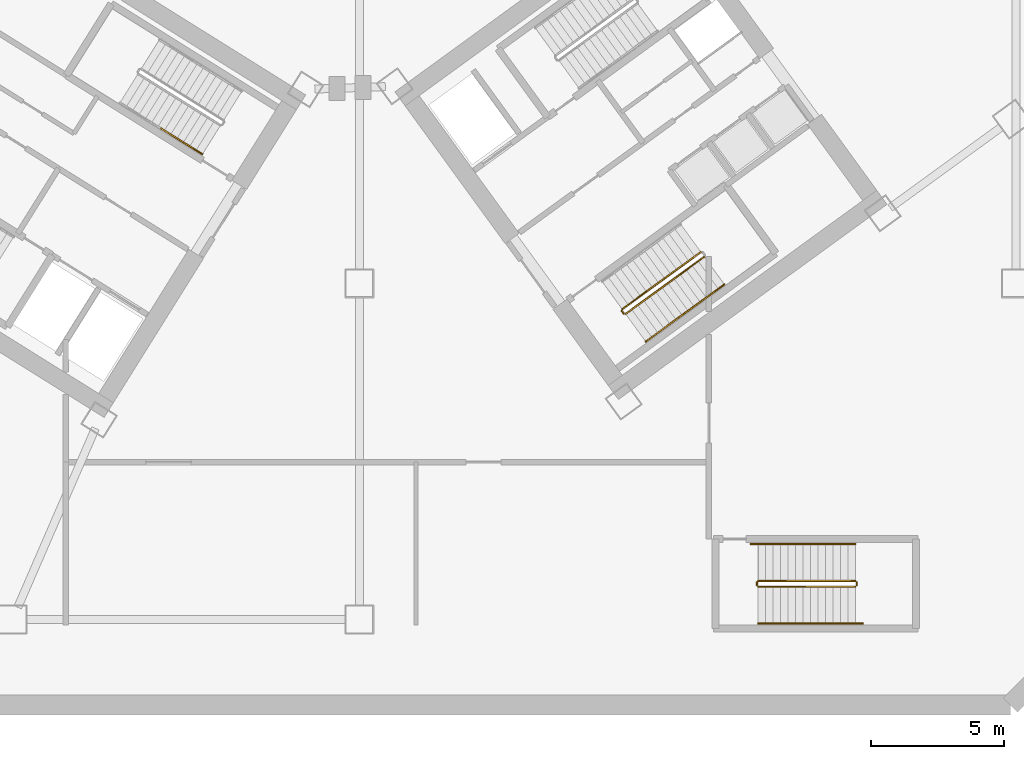
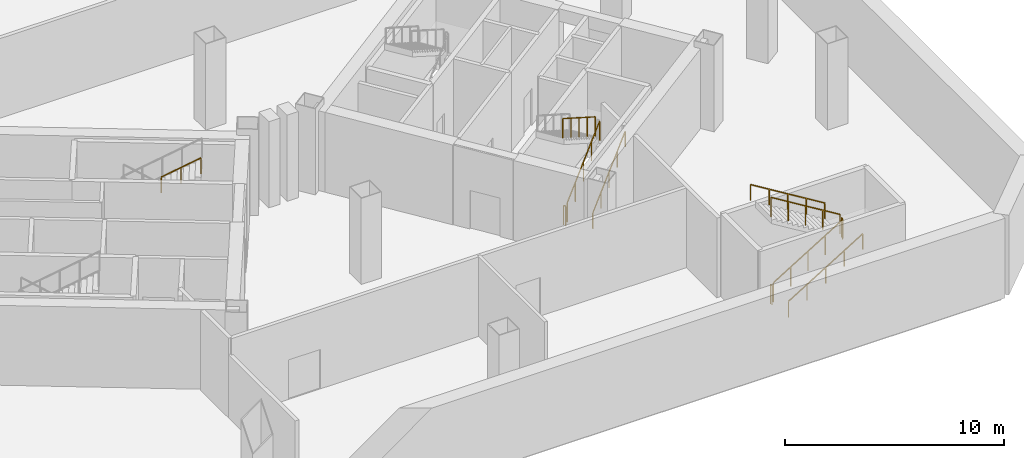
# One storey, part 7 of 9: 12 railings.
"""IFC4 building model written with IfcOpenShell, lengths in metres."""

from ifc_helpers import new_model, si_unit, direction, frame, origin, origin_2d, place, context, subcontext, project, spatial, rectangle, extrude, source, transform, mapped, material, type_object, element, save


model = new_model("IFC4")

# Units and contexts
model_context = context("Model", 3, precision=1e-05, world=origin(), true_north=direction((0.0, 1.0)))
body_context = subcontext(model_context, "Body", "Model", "MODEL_VIEW")
ifc_project = project(units=[si_unit("LENGTHUNIT", "METRE"), si_unit("AREAUNIT", "SQUARE_METRE"), si_unit("VOLUMEUNIT", "CUBIC_METRE"), si_unit("PLANEANGLEUNIT", "RADIAN"), si_unit("MASSUNIT", "GRAM", prefix="KILO")], contexts=[model_context])

# Site, building, storey
site_placement = place(None, origin())
site = spatial("IfcSite", under=ifc_project, at=site_placement, CompositionType="ELEMENT")
building_placement = place(site_placement, origin())
building = spatial("IfcBuilding", under=site, at=building_placement, Name="Tlacorven Tower", CompositionType="ELEMENT")
storey_placement = place(building_placement, frame((0.0, 0.0, -4.800048828125)))
storey = spatial("IfcBuildingStorey", under=building, at=storey_placement, Name="B1", CompositionType="ELEMENT", Elevation=-4.800048828125)

# Railings
ifc_material = material(Name="Aluminium and painted steel balustrade", Category="steel")
railing_type_1 = type_object("IfcRailingType", Name="RL-HND-0900", PredefinedType="HANDRAIL", material=ifc_material)
shared_shape_1 = source(origin(), body_context, "Body", "SweptSolid", [
    extrude(rectangle(XDim=0.048095703125, YDim=0.048095703125, at=origin_2d()), frame((0.0, 0.0, 0.8759765625), z_axis=(0.723243536433, -0.451998610004, 0.522126463189), x_axis=(0.529974825293, 0.848013375222, 0.0)), (0.0, 0.0, 1.0), 2.134033203125),
    extrude(rectangle(XDim=0.0419921875, YDim=0.0419921875, at=origin_2d()), origin(), (0.0, 0.0, 1.0), 0.851806640625),
    extrude(rectangle(XDim=0.0419921875, YDim=0.0419921875, at=origin_2d()), frame((0.771728515625, -0.482421875, 0.55712890625)), (0.0, 0.0, 1.0), 0.851806640625),
    extrude(rectangle(XDim=0.0419921875, YDim=0.0419921875, at=origin_2d()), frame((1.54345703125, -0.964599609375, 1.1142578125)), (0.0, 0.0, 1.0), 0.851806640625),
])
railing_1_placement = place(storey_placement, frame((35.3740234375, 23.001953125, 3.685791015625)))
element("IfcRailing", 1, at=railing_1_placement, inside=storey, type_object=railing_type_1, Name="B1 ST-W2 stair handrail 4", PredefinedType="HANDRAIL", context=body_context, shape_type="MappedRepresentation", body=[
    mapped(shared_shape_1, transform((0.0, 0.0, 0.0), scale=1.0)),
])
railing_type_2 = type_object("IfcRailingType", Name="RL-GRD-1100", PredefinedType="GUARDRAIL", material=ifc_material)
shared_shape_2 = source(origin(), body_context, "Body", "SweptSolid", [
    extrude(rectangle(XDim=0.048095703125, YDim=0.048095703125, at=origin_2d()), frame((0.0, 0.0, 1.076171875), z_axis=(-0.587567097037, 0.809175448515, 0.0), x_axis=(-0.809175448515, -0.587567097037, 0.0)), (0.0, 0.0, 1.0), 0.1201171875),
    extrude(rectangle(XDim=0.0419921875, YDim=0.0419921875, at=origin_2d()), origin(), (0.0, 0.0, 1.0), 1.052001953125),
    extrude(rectangle(XDim=0.0419921875, YDim=0.0419921875, at=origin_2d()), frame((-0.070556640625, 0.09716796875, 0.0)), (0.0, 0.0, 1.0), 1.052001953125),
])
railing_2_placement = place(storey_placement, frame((52.71142578125, 16.065673828125, 0.0)))
element("IfcRailing", 2, at=railing_2_placement, inside=storey, type_object=railing_type_2, Name="B1 ST-E2 stair guard 4", PredefinedType="GUARDRAIL", context=body_context, shape_type="MappedRepresentation", body=[
    mapped(shared_shape_2, transform((0.0, 0.0, 0.0), scale=1.0)),
])
shared_shape_3 = source(origin(), body_context, "Body", "SweptSolid", [
    extrude(rectangle(XDim=0.048095703125, YDim=0.048095703125, at=origin_2d()), frame((0.0, 0.0, 1.076171875), z_axis=(-0.689987059858, -0.501273139242, 0.522152369623), x_axis=(0.587760844897, -0.809034726823, 0.0)), (0.0, 0.0, 1.0), 4.267822265625),
    extrude(rectangle(XDim=0.0419921875, YDim=0.0419921875, at=origin_2d()), origin(), (0.0, 0.0, 1.0), 1.052001953125),
    extrude(rectangle(XDim=0.0419921875, YDim=0.0419921875, at=origin_2d()), frame((-0.736328125, -0.534912109375, 0.55712890625)), (0.0, 0.0, 1.0), 1.052001953125),
    extrude(rectangle(XDim=0.0419921875, YDim=0.0419921875, at=origin_2d()), frame((-1.472412109375, -1.06982421875, 1.1142578125)), (0.0, 0.0, 1.0), 1.052001953125),
    extrude(rectangle(XDim=0.0419921875, YDim=0.0419921875, at=origin_2d()), frame((-2.20849609375, -1.6044921875, 1.67138671875)), (0.0, 0.0, 1.0), 1.052001953125),
    extrude(rectangle(XDim=0.0419921875, YDim=0.0419921875, at=origin_2d()), frame((-2.94482421875, -2.139404296875, 2.228515625)), (0.0, 0.0, 1.0), 1.052001953125),
])
railing_3_placement = place(storey_placement, frame((55.5966796875, 18.3720703125, 2.571533203125)))
element("IfcRailing", 3, at=railing_3_placement, inside=storey, type_object=railing_type_2, Name="B1 ST-E2 stair guard 3", PredefinedType="GUARDRAIL", context=body_context, shape_type="MappedRepresentation", body=[
    mapped(shared_shape_3, transform((0.0, 0.0, 0.0), scale=1.0)),
])
shared_shape_4 = source(origin(), body_context, "Body", "SweptSolid", [
    extrude(rectangle(XDim=0.048095703125, YDim=0.048095703125, at=origin_2d()), frame((0.0, 0.0, 0.8759765625), z_axis=(0.689967274537, 0.501315967008, 0.522137396947), x_axis=(-0.587804744085, 0.8090028324, 0.0)), (0.0, 0.0, 1.0), 2.134033203125),
    extrude(rectangle(XDim=0.0419921875, YDim=0.0419921875, at=origin_2d()), origin(), (0.0, 0.0, 1.0), 0.851806640625),
    extrude(rectangle(XDim=0.0419921875, YDim=0.0419921875, at=origin_2d()), frame((0.736328125, 0.534912109375, 0.55712890625)), (0.0, 0.0, 1.0), 0.851806640625),
    extrude(rectangle(XDim=0.0419921875, YDim=0.0419921875, at=origin_2d()), frame((1.472412109375, 1.06982421875, 1.1142578125)), (0.0, 0.0, 1.0), 0.851806640625),
])
railing_4_placement = place(storey_placement, frame((53.53369140625, 15.01904296875, 0.17138671875)))
element("IfcRailing", 4, at=railing_4_placement, inside=storey, type_object=railing_type_1, Name="B1 ST-E2 stair handrail 1", PredefinedType="HANDRAIL", context=body_context, shape_type="MappedRepresentation", body=[
    mapped(shared_shape_4, transform((0.0, 0.0, 0.0), scale=1.0)),
])
shared_shape_5 = source(origin(), body_context, "Body", "SweptSolid", [
    extrude(rectangle(XDim=0.048095703125, YDim=0.048095703125, at=origin_2d()), frame((0.0, 0.0, 1.076171875), z_axis=(0.689966450515, 0.501258166628, 0.522193975025), x_axis=(-0.587760844897, 0.809034726823, 0.0)), (0.0, 0.0, 1.0), 4.26806640625),
    extrude(rectangle(XDim=0.0419921875, YDim=0.0419921875, at=origin_2d()), origin(), (0.0, 0.0, 1.0), 1.052001953125),
    extrude(rectangle(XDim=0.0419921875, YDim=0.0419921875, at=origin_2d()), frame((0.736328125, 0.534912109375, 0.55712890625)), (0.0, 0.0, 1.0), 1.052001953125),
    extrude(rectangle(XDim=0.0419921875, YDim=0.0419921875, at=origin_2d()), frame((1.472412109375, 1.06982421875, 1.1142578125)), (0.0, 0.0, 1.0), 1.052001953125),
    extrude(rectangle(XDim=0.0419921875, YDim=0.0419921875, at=origin_2d()), frame((2.20849609375, 1.6044921875, 1.671630859375)), (0.0, 0.0, 1.0), 1.052001953125),
    extrude(rectangle(XDim=0.0419921875, YDim=0.0419921875, at=origin_2d()), frame((2.94482421875, 2.139404296875, 2.228759765625)), (0.0, 0.0, 1.0), 1.052001953125),
])
railing_5_placement = place(storey_placement, frame((52.78125, 16.0546875, 0.17138671875)))
element("IfcRailing", 5, at=railing_5_placement, inside=storey, type_object=railing_type_2, Name="B1 ST-E2 stair guard 1", PredefinedType="GUARDRAIL", context=body_context, shape_type="MappedRepresentation", body=[
    mapped(shared_shape_5, transform((0.0, 0.0, 0.0), scale=1.0)),
])
shared_shape_6 = source(origin(), body_context, "Body", "SweptSolid", [
    extrude(rectangle(XDim=0.048095703125, YDim=0.048095703125, at=origin_2d()), frame((0.0, 0.0, 0.8759765625), z_axis=(0.689926058986, 0.501286020639, 0.522220603427), x_axis=(-0.587804744085, 0.8090028324, 0.0)), (0.0, 0.0, 1.0), 2.13427734375),
    extrude(rectangle(XDim=0.0419921875, YDim=0.0419921875, at=origin_2d()), origin(), (0.0, 0.0, 1.0), 0.851806640625),
    extrude(rectangle(XDim=0.0419921875, YDim=0.0419921875, at=origin_2d()), frame((0.736328125, 0.534912109375, 0.55712890625)), (0.0, 0.0, 1.0), 0.851806640625),
    extrude(rectangle(XDim=0.0419921875, YDim=0.0419921875, at=origin_2d()), frame((1.472412109375, 1.06982421875, 1.114501953125)), (0.0, 0.0, 1.0), 0.851806640625),
])
railing_6_placement = place(storey_placement, frame((55.006103515625, 16.0888671875, 1.28564453125)))
element("IfcRailing", 6, at=railing_6_placement, inside=storey, type_object=railing_type_1, Name="B1 ST-E2 stair handrail 2", PredefinedType="HANDRAIL", context=body_context, shape_type="MappedRepresentation", body=[
    mapped(shared_shape_6, transform((0.0, 0.0, 0.0), scale=1.0)),
])
shared_shape_7 = source(origin(), body_context, "Body", "SweptSolid", [
    extrude(rectangle(XDim=0.048095703125, YDim=0.048095703125, at=origin_2d()), frame((0.0, 0.0, 1.076171875), z_axis=(0.0, 1.0, 0.0), x_axis=(-1.0, 0.0, 0.0)), (0.0, 0.0, 1.0), 0.1201171875),
    extrude(rectangle(XDim=0.0419921875, YDim=0.0419921875, at=origin_2d()), origin(), (0.0, 0.0, 1.0), 1.052001953125),
    extrude(rectangle(XDim=0.0419921875, YDim=0.0419921875, at=origin_2d()), frame((0.0, 0.1201171875, 0.0)), (0.0, 0.0, 1.0), 1.052001953125),
])
for number, where, name in (
    (7, (61.43994140625, 5.8798828125, 2.400146484375), "B1 ST-P2 stair guard 2"),
    (8, (57.699951171875, 5.8798828125, 0.0), "B1 ST-P2 stair guard 4"),
):
    element("IfcRailing", number, at=place(storey_placement, frame(where)), inside=storey, type_object=railing_type_2, Name=name, PredefinedType="GUARDRAIL", context=body_context, shape_type="MappedRepresentation", body=[
        mapped(shared_shape_7, transform((0.0, 0.0, 0.0), scale=1.0)),
    ])
shared_shape_8 = source(origin(), body_context, "Body", "SweptSolid", [
    extrude(rectangle(XDim=0.048095703125, YDim=0.048095703125, at=origin_2d()), frame((0.0, 0.0, 1.076171875), z_axis=(-0.852850264322, 0.0, 0.5221555579), x_axis=(0.0, -1.0, 0.0)), (0.0, 0.0, 1.0), 4.267822265625),
    extrude(rectangle(XDim=0.0419921875, YDim=0.0419921875, at=origin_2d()), origin(), (0.0, 0.0, 1.0), 1.052001953125),
    extrude(rectangle(XDim=0.0419921875, YDim=0.0419921875, at=origin_2d()), frame((-0.909912109375, 0.0, 0.55712890625)), (0.0, 0.0, 1.0), 1.052001953125),
    extrude(rectangle(XDim=0.0419921875, YDim=0.0419921875, at=origin_2d()), frame((-1.81982421875, 0.0, 1.1142578125)), (0.0, 0.0, 1.0), 1.052001953125),
    extrude(rectangle(XDim=0.0419921875, YDim=0.0419921875, at=origin_2d()), frame((-2.72998046875, 0.0, 1.67138671875)), (0.0, 0.0, 1.0), 1.052001953125),
    extrude(rectangle(XDim=0.0419921875, YDim=0.0419921875, at=origin_2d()), frame((-3.639892578125, 0.0, 2.228515625)), (0.0, 0.0, 1.0), 1.052001953125),
])
railing_7_placement = place(storey_placement, frame((61.389892578125, 6.050048828125, 2.571533203125)))
element("IfcRailing", 9, at=railing_7_placement, inside=storey, type_object=railing_type_2, Name="B1 ST-P2 stair guard 3", PredefinedType="GUARDRAIL", context=body_context, shape_type="MappedRepresentation", body=[
    mapped(shared_shape_8, transform((0.0, 0.0, 0.0), scale=1.0)),
])
shared_shape_9 = source(origin(), body_context, "Body", "SweptSolid", [
    extrude(rectangle(XDim=0.048095703125, YDim=0.048095703125, at=origin_2d()), frame((0.0, 0.0, 0.8759765625), z_axis=(-0.852856131449, 0.0, 0.522145974847), x_axis=(0.0, -1.0, 0.0)), (0.0, 0.0, 1.0), 4.59619140625),
    extrude(rectangle(XDim=0.0419921875, YDim=0.0419921875, at=origin_2d()), origin(), (0.0, 0.0, 1.0), 0.851806640625),
    extrude(rectangle(XDim=0.0419921875, YDim=0.0419921875, at=origin_2d()), frame((-0.97998046875, 0.0, 0.60009765625)), (0.0, 0.0, 1.0), 0.851806640625),
    extrude(rectangle(XDim=0.0419921875, YDim=0.0419921875, at=origin_2d()), frame((-1.9599609375, 0.0, 1.199951171875)), (0.0, 0.0, 1.0), 0.851806640625),
    extrude(rectangle(XDim=0.0419921875, YDim=0.0419921875, at=origin_2d()), frame((-2.93994140625, 0.0, 1.7998046875)), (0.0, 0.0, 1.0), 0.851806640625),
    extrude(rectangle(XDim=0.0419921875, YDim=0.0419921875, at=origin_2d()), frame((-3.919921875, 0.0, 2.39990234375)), (0.0, 0.0, 1.0), 0.851806640625),
])
railing_8_placement = place(storey_placement, frame((61.389892578125, 7.429931640625, 2.571533203125)))
element("IfcRailing", 10, at=railing_8_placement, inside=storey, type_object=railing_type_1, Name="B1 ST-P2 stair handrail 2", PredefinedType="HANDRAIL", context=body_context, shape_type="MappedRepresentation", body=[
    mapped(shared_shape_9, transform((0.0, 0.0, 0.0), scale=1.0)),
])
shared_shape_10 = source(origin(), body_context, "Body", "SweptSolid", [
    extrude(rectangle(XDim=0.048095703125, YDim=0.048095703125, at=origin_2d()), frame((0.0, 0.0, 1.076171875), z_axis=(0.852824790078, 0.0, 0.522197163366), x_axis=(0.0, 1.0, 0.0)), (0.0, 0.0, 1.0), 4.26806640625),
    extrude(rectangle(XDim=0.0419921875, YDim=0.0419921875, at=origin_2d()), origin(), (0.0, 0.0, 1.0), 1.052001953125),
    extrude(rectangle(XDim=0.0419921875, YDim=0.0419921875, at=origin_2d()), frame((0.909912109375, 0.0, 0.55712890625)), (0.0, 0.0, 1.0), 1.052001953125),
    extrude(rectangle(XDim=0.0419921875, YDim=0.0419921875, at=origin_2d()), frame((1.81982421875, 0.0, 1.1142578125)), (0.0, 0.0, 1.0), 1.052001953125),
    extrude(rectangle(XDim=0.0419921875, YDim=0.0419921875, at=origin_2d()), frame((2.72998046875, 0.0, 1.671630859375)), (0.0, 0.0, 1.0), 1.052001953125),
    extrude(rectangle(XDim=0.0419921875, YDim=0.0419921875, at=origin_2d()), frame((3.639892578125, 0.0, 2.228759765625)), (0.0, 0.0, 1.0), 1.052001953125),
])
railing_9_placement = place(storey_placement, frame((57.75, 5.830078125, 0.17138671875)))
element("IfcRailing", 11, at=railing_9_placement, inside=storey, type_object=railing_type_2, Name="B1 ST-P2 stair guard 1", PredefinedType="GUARDRAIL", context=body_context, shape_type="MappedRepresentation", body=[
    mapped(shared_shape_10, transform((0.0, 0.0, 0.0), scale=1.0)),
])
shared_shape_11 = source(origin(), body_context, "Body", "SweptSolid", [
    extrude(rectangle(XDim=0.048095703125, YDim=0.048095703125, at=origin_2d()), frame((0.0, 0.0, 0.8759765625), z_axis=(0.852832477147, 0.0, 0.522184609045), x_axis=(0.0, 1.0, 0.0)), (0.0, 0.0, 1.0), 4.596435546875),
    extrude(rectangle(XDim=0.0419921875, YDim=0.0419921875, at=origin_2d()), origin(), (0.0, 0.0, 1.0), 0.851806640625),
    extrude(rectangle(XDim=0.0419921875, YDim=0.0419921875, at=origin_2d()), frame((0.97998046875, 0.0, 0.60009765625)), (0.0, 0.0, 1.0), 0.851806640625),
    extrude(rectangle(XDim=0.0419921875, YDim=0.0419921875, at=origin_2d()), frame((1.9599609375, 0.0, 1.2001953125)), (0.0, 0.0, 1.0), 0.851806640625),
    extrude(rectangle(XDim=0.0419921875, YDim=0.0419921875, at=origin_2d()), frame((2.93994140625, 0.0, 1.800048828125)), (0.0, 0.0, 1.0), 0.851806640625),
    extrude(rectangle(XDim=0.0419921875, YDim=0.0419921875, at=origin_2d()), frame((3.919921875, 0.0, 2.400146484375)), (0.0, 0.0, 1.0), 0.851806640625),
])
railing_10_placement = place(storey_placement, frame((57.75, 4.449951171875, 0.17138671875)))
element("IfcRailing", 12, at=railing_10_placement, inside=storey, type_object=railing_type_1, Name="B1 ST-P2 stair handrail 1", PredefinedType="HANDRAIL", context=body_context, shape_type="MappedRepresentation", body=[
    mapped(shared_shape_11, transform((0.0, 0.0, 0.0), scale=1.0)),
])

save(model, "model.ifc")
